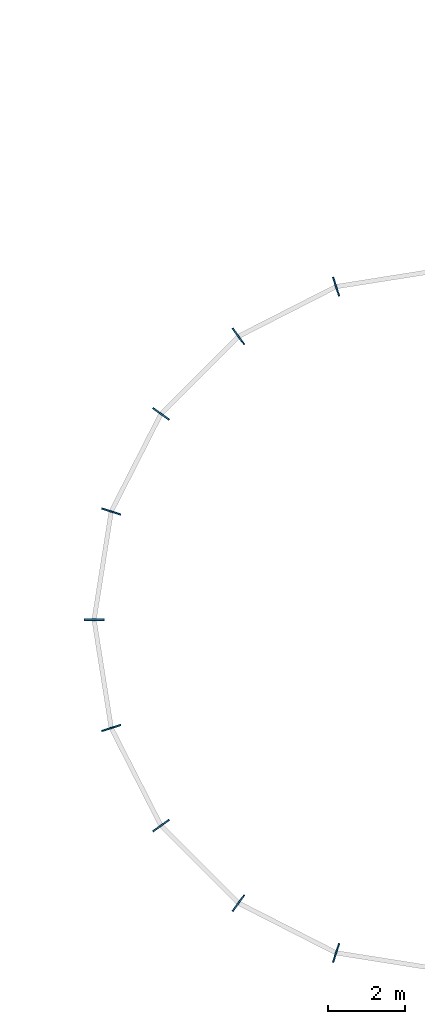
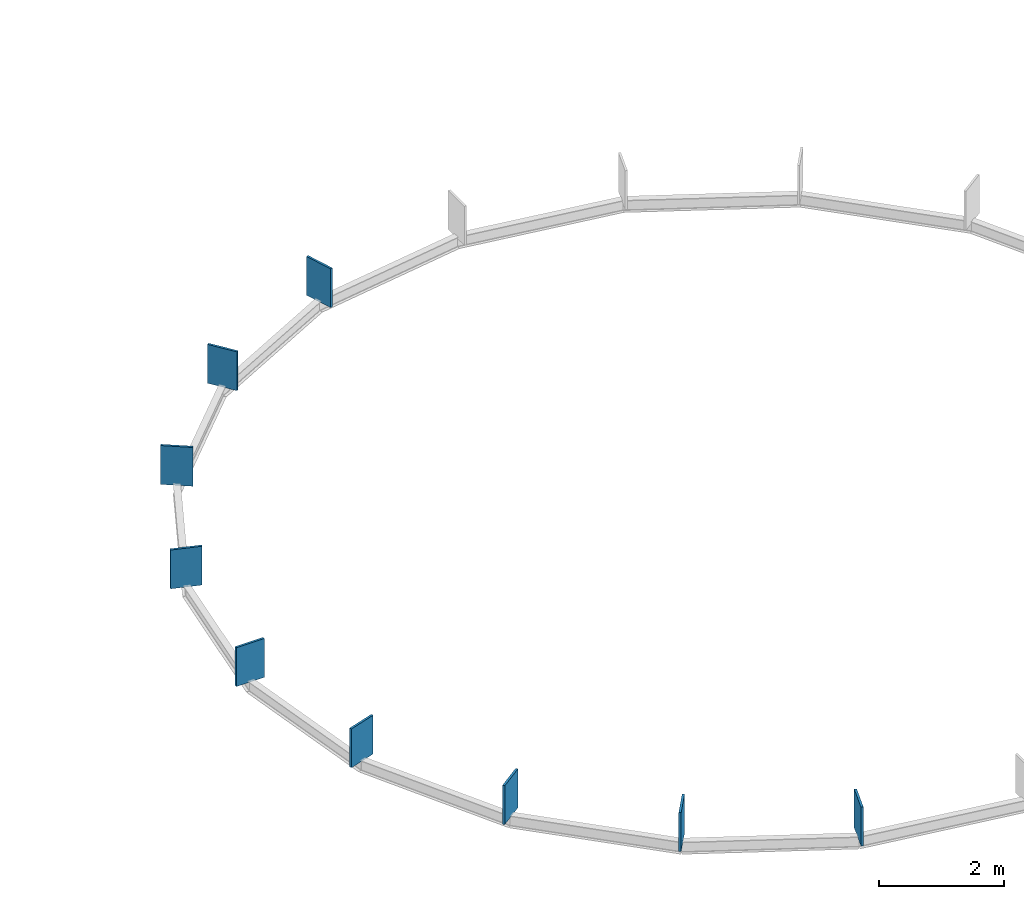
# One storey, part 13 of 30: 9 plates.
"""IFC4 building model written with IfcOpenShell, lengths in metres."""

import ifcopenshell
import ifcopenshell.guid

model = None  # the IFC model being written
_history = None  # IfcOwnerHistory: only IFC2X3 demands one
_inside = {}  # id of a spatial element -> (the spatial element, [elements in it])
_under = {}  # id of a project, library or spatial element -> (it, [spatial elements below it])
_declared = {}  # id of a project -> (the project, [libraries it declares])
_typed = {}  # id of a type object -> (the type object, [elements of that type])
_made_of = {}  # id of a material, layer set ... -> (it, [elements and type objects made of it])


def new_model(schema):
    """Start an empty IFC model of exactly this schema.

    Asked for "IFC4X3", IfcOpenShell would pick the latest addendum, in which some entities
    have other attributes; the version numbers below select the first issue.
    IFC2X3 requires an IfcOwnerHistory on every rooted entity: one is made here for all.
    """
    global model, _history
    if schema == "IFC4X3":
        model = ifcopenshell.file(schema_version=(4, 3, 0, 0))
    else:
        model = ifcopenshell.file(schema=schema)
    _inside.clear()
    _under.clear()
    _declared.clear()
    _typed.clear()
    _made_of.clear()
    _history = None
    if model.schema == "IFC2X3":
        org = make("IfcOrganization", Name="unknown")
        user = make(
            "IfcPersonAndOrganization",
            ThePerson=make("IfcPerson", FamilyName="unknown"),
            TheOrganization=org,
        )
        app = make(
            "IfcApplication",
            ApplicationDeveloper=org,
            Version="unknown",
            ApplicationFullName="unknown",
            ApplicationIdentifier="unknown",
        )
        _history = make(
            "IfcOwnerHistory",
            OwningUser=user,
            OwningApplication=app,
            ChangeAction="ADDED",
            CreationDate=0,
        )
    return model


def make(cls, **values):
    """One entity of the class cls with the attributes given. An attribute that is None is left unset."""
    return model.create_entity(
        cls, **{name: value for name, value in values.items() if value is not None}
    )


def rooted(cls, **values):
    """An entity with a GlobalId (a new one), such as an element, a storey or a relation."""
    return make(cls, GlobalId=ifcopenshell.guid.new(), OwnerHistory=_history, **values)


def si_unit(unit_type, name, prefix=None):
    """IfcSIUnit, for example si_unit("LENGTHUNIT", "METRE", prefix="MILLI")."""
    return make("IfcSIUnit", UnitType=unit_type, Prefix=prefix, Name=name)


def assignment(units):
    """IfcUnitAssignment: the units of a project."""
    return None if units is None else make("IfcUnitAssignment", Units=units)


def point(xyz):
    """IfcCartesianPoint."""
    return None if xyz is None else make("IfcCartesianPoint", Coordinates=xyz)


def direction(xyz):
    """IfcDirection."""
    return None if xyz is None else make("IfcDirection", DirectionRatios=xyz)


def frame(location, z_axis=None, x_axis=None):
    """IfcAxis2Placement3D, a coordinate frame: its origin and axes. An axis left out is left unset."""
    return make(
        "IfcAxis2Placement3D",
        Location=point(location),
        Axis=direction(z_axis),
        RefDirection=direction(x_axis),
    )


def frame_2d(location, x_axis=None):
    """IfcAxis2Placement2D, a coordinate frame in the plane: its origin and x axis."""
    return make(
        "IfcAxis2Placement2D", Location=point(location), RefDirection=direction(x_axis)
    )


def origin():
    """The frame at (0, 0, 0) with its axes left unset."""
    return frame((0.0, 0.0, 0.0))


def origin_2d():
    """The frame at (0, 0) in the plane with its x axis left unset."""
    return frame_2d((0.0, 0.0))


def place(relative_to, where):
    """IfcLocalPlacement: puts the frame where relative to a parent placement (None: the world)."""
    return make(
        "IfcLocalPlacement", PlacementRelTo=relative_to, RelativePlacement=where
    )


def context(
    kind, dimensions, precision=None, world=None, true_north=None, identifier=None
):
    """IfcGeometricRepresentationContext, for example the 3D "Model" context."""
    return make(
        "IfcGeometricRepresentationContext",
        ContextIdentifier=identifier,
        ContextType=kind,
        CoordinateSpaceDimension=dimensions,
        Precision=precision,
        WorldCoordinateSystem=world,
        TrueNorth=true_north,
    )


def subcontext(parent, identifier, kind, view, scale=None):
    """IfcGeometricRepresentationSubContext, for example "Body" below "Model"."""
    return make(
        "IfcGeometricRepresentationSubContext",
        ContextIdentifier=identifier,
        ContextType=kind,
        ParentContext=parent,
        TargetScale=scale,
        TargetView=view,
    )


def project(units=None, contexts=None):
    """IfcProject with its units and contexts."""
    return rooted(
        "IfcProject",
        Name="project",
        RepresentationContexts=contexts,
        UnitsInContext=assignment(units),
    )


def spatial(cls, under=None, at=None, **own):
    """A site, building, storey or space (cls), placed at a placement, below another one or the project."""
    s = rooted(cls, ObjectPlacement=at, **own)
    if under is not None:
        _under.setdefault(under.id(), (under, []))[1].append(s)
    return s


def profile(cls, at=None, kind="AREA", **sizes):
    """A parametric profile (cls). Its sizes go by their IFC names, for example OverallWidth=200.0."""
    return make(cls, ProfileType=kind, Position=at, **sizes)


def rectangle(**sizes):
    """IfcRectangleProfileDef."""
    return profile("IfcRectangleProfileDef", **sizes)


def extrude(swept, where, along, depth):
    """IfcExtrudedAreaSolid: the profile swept, set in the frame where, extruded along a direction by depth."""
    return make(
        "IfcExtrudedAreaSolid",
        SweptArea=swept,
        Position=where,
        ExtrudedDirection=direction(along),
        Depth=depth,
    )


def shape(context_of_items, identifier, shape_type, items):
    """IfcShapeRepresentation: the items that make up one representation, for example the "Body"."""
    return make(
        "IfcShapeRepresentation",
        ContextOfItems=context_of_items,
        RepresentationIdentifier=identifier,
        RepresentationType=shape_type,
        Items=items,
    )


def material(Name=None, Category=None):
    """IfcMaterial."""
    return make("IfcMaterial", Name=Name, Category=Category)


def layer(
    of_material, thickness, ventilated=None, Name=None, Category=None, Priority=None
):
    """IfcMaterialLayer: one layer of a wall or slab, of a material (None: an air gap)."""
    return make(
        "IfcMaterialLayer",
        Material=of_material,
        LayerThickness=thickness,
        IsVentilated=ventilated,
        Name=Name,
        Category=Category,
        Priority=Priority,
    )


def layer_set(layers, Name=None):
    """IfcMaterialLayerSet."""
    return make("IfcMaterialLayerSet", MaterialLayers=layers, LayerSetName=Name)


def made_of(thing, what):
    """Note that an element or type object is made of a material, layer set ...; save() writes the relation."""
    if what is not None:
        _made_of.setdefault(what.id(), (what, []))[1].append(thing)
    return thing


def type_object(cls, material=None, **own):
    """A type object (cls), such as IfcWallType, which elements share."""
    return made_of(rooted(cls, **own), material)


def element(
    cls,
    number,
    at=None,
    inside=None,
    cuts=None,
    type_object=None,
    material=None,
    context=None,
    identifier="Body",
    shape_type=None,
    held_by="IfcProductDefinitionShape",
    body=None,
    shapes=None,
    **own,
):
    """One element of the class cls, such as IfcWall. Its Tag is "e" and its number.

    at: its placement. inside: the storey or other place that contains it. cuts: it is an
    opening in that element (IfcRelVoidsElement). A single representation is given by context,
    identifier, shape_type and body (its items); several are given by shapes. held_by: the class
    of the entity that holds the representations. save() writes the other relations.
    """
    e = rooted(cls, Tag="e%d" % number, ObjectPlacement=at, **own)
    if body is not None:
        shapes = [shape(context, identifier, shape_type, body)]
    if shapes is not None:
        e.Representation = make(held_by, Representations=shapes)
    if inside is not None:
        _inside.setdefault(inside.id(), (inside, []))[1].append(e)
    if cuts is not None:
        rooted(
            "IfcRelVoidsElement", RelatingBuildingElement=cuts, RelatedOpeningElement=e
        )
    if type_object is not None:
        _typed.setdefault(type_object.id(), (type_object, []))[1].append(e)
    return made_of(e, material)


def aggregate(whole, parts):
    """IfcRelAggregates: a whole, such as a stair, and the parts it consists of."""
    return rooted("IfcRelAggregates", RelatingObject=whole, RelatedObjects=parts)


def save(model, path):
    """Write the relations noted so far, then the file.

    IfcRelAggregates (storeys below a building ...), IfcRelContainedInSpatialStructure (elements
    in a storey), IfcRelDefinesByType, IfcRelAssociatesMaterial and IfcRelDeclares: one each for
    every whole, place, type object, material and project.
    """
    for whole, parts in _under.values():
        aggregate(whole, parts)
    for where, things in _inside.values():
        rooted(
            "IfcRelContainedInSpatialStructure",
            RelatedElements=things,
            RelatingStructure=where,
        )
    for kind, things in _typed.values():
        rooted("IfcRelDefinesByType", RelatedObjects=things, RelatingType=kind)
    for what, things in _made_of.values():
        rooted("IfcRelAssociatesMaterial", RelatedObjects=things, RelatingMaterial=what)
    for by, libraries in _declared.values():
        rooted("IfcRelDeclares", RelatingContext=by, RelatedDefinitions=libraries)
    model.write(path)


model = new_model("IFC4")

# Units and contexts
model_context = context("Model", 3, precision=1e-05, world=origin(), true_north=direction((0.0, 1.0)))
body_context = subcontext(model_context, "Body", "Model", "MODEL_VIEW")
ifc_project = project(units=[si_unit("LENGTHUNIT", "METRE"), si_unit("AREAUNIT", "SQUARE_METRE"), si_unit("VOLUMEUNIT", "CUBIC_METRE"), si_unit("PLANEANGLEUNIT", "RADIAN"), si_unit("MASSUNIT", "GRAM", prefix="KILO")], contexts=[model_context])

# Site, building, storey
site_placement = place(None, origin())
site = spatial("IfcSite", under=ifc_project, at=site_placement, CompositionType="ELEMENT")
building_placement = place(site_placement, origin())
building = spatial("IfcBuilding", under=site, at=building_placement, Name="Sefraquen Railside Congress Hotel", CompositionType="ELEMENT")
storey_placement = place(building_placement, frame((0.0, 0.0, 35.39990234375)))
storey = spatial("IfcBuildingStorey", under=building, at=storey_placement, Name="L08", CompositionType="ELEMENT", Elevation=35.39990234375)

# Plates
ifc_material = material(Name="Steel S355J2", Category="steel")
ifc_layer = layer(ifc_material, 0.0400390625)
ifc_layer_set = layer_set([ifc_layer], Name="Steel S355J2")
plate_type = type_object("IfcPlateType", Name="TP-GUS-02", PredefinedType="SHEET", material=ifc_layer_set)
for number, where, z_axis, x_axis, name in (
    (1, (61.387939453125, 35.654541015625, -4.39990234375), (0.0, 0.0, 1.0), (-0.309016994375, 0.951056516295, 0.0), "Dome upper ring shell stool plate 07"),
    (2, (58.851318359375, 34.362060546875, -4.39990234375), (0.0, 0.0, 1.0), (-0.587785252292, 0.809016994375, 0.0), "Dome upper ring shell stool plate 08"),
    (3, (56.837890625, 32.348876953125, -4.39990234375), (0.0, 0.0, 1.0), (-0.809016994375, 0.587785252292, 0.0), "Dome upper ring shell stool plate 09"),
    (4, (55.54541015625, 29.81201171875, -4.39990234375), (0.0, 0.0, 1.0), (-0.951056516295, 0.309016994375, 0.0), "Dome upper ring shell stool plate 10"),
    (5, (55.10009765625, 27.0, -4.39990234375), (0.0, 0.0, 1.0), (-1.0, 0.0, 0.0), "Dome upper ring shell stool plate 11"),
    (6, (55.54541015625, 24.18798828125, -4.39990234375), (0.0, 0.0, 1.0), (-0.951056516295, -0.309016994375, 0.0), "Dome upper ring shell stool plate 12"),
    (7, (56.837890625, 21.651123046875, -4.39990234375), (0.0, 0.0, 1.0), (-0.809016994375, -0.587785252292, 0.0), "Dome upper ring shell stool plate 13"),
    (8, (58.851318359375, 19.637939453125, -4.39990234375), (0.0, 0.0, 1.0), (-0.587785252292, -0.809016994375, 0.0), "Dome upper ring shell stool plate 14"),
    (9, (61.387939453125, 18.345458984375, -4.39990234375), (0.0, 0.0, 1.0), (-0.309016994375, -0.951056516295, 0.0), "Dome upper ring shell stool plate 15"),
):
    element("IfcPlate", number, at=place(storey_placement, frame(where, z_axis=z_axis, x_axis=x_axis)), inside=storey, type_object=plate_type, Name=name, PredefinedType="SHEET", context=body_context, shape_type="SweptSolid", body=[
        extrude(rectangle(XDim=0.52001953125, YDim=0.0400390625, at=origin_2d()), origin(), (0.0, 0.0, 1.0), 0.760009765625),
    ])

save(model, "model.ifc")
